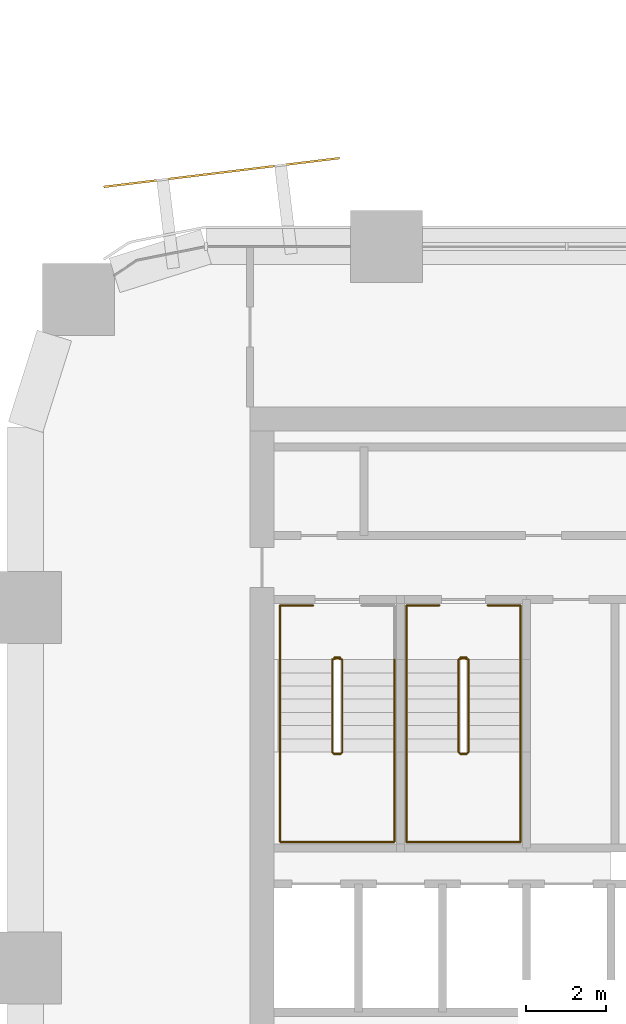
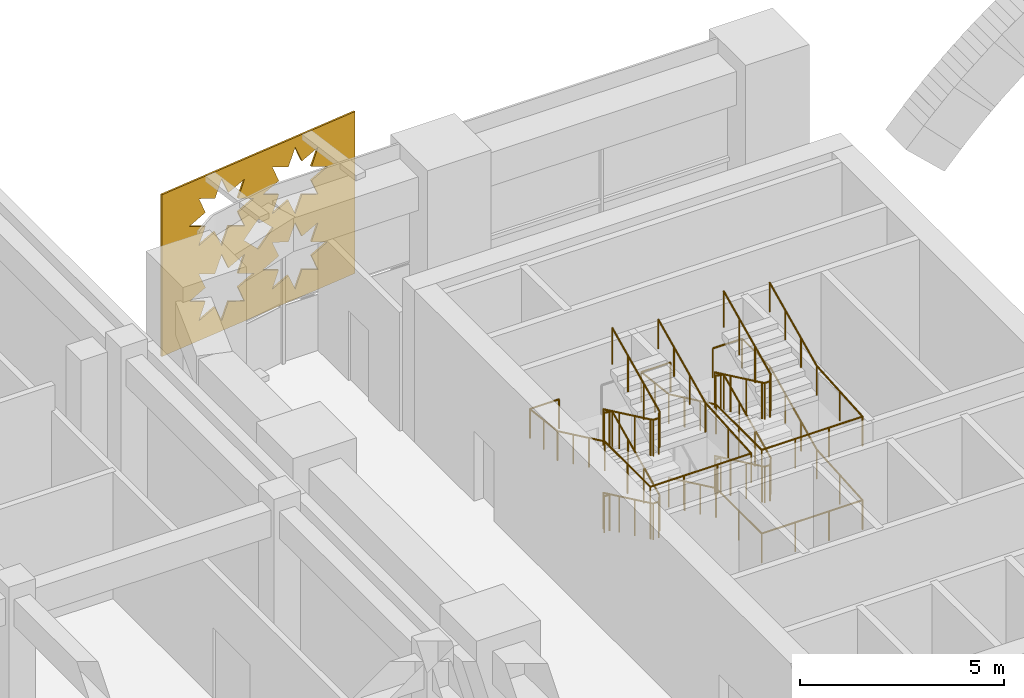
# One storey, part 38 of 40: 5 railings, 1 covering.
"""IFC4 building model written with IfcOpenShell, lengths in metres."""

from ifc_helpers import new_model, si_unit, direction, frame, origin, origin_2d, place, context, subcontext, project, spatial, polyline, circle, outline, extrude, material, layer, layer_set, type_object, element, save


model = new_model("IFC4")

# Units and contexts
model_context = context("Model", 3, precision=1e-05, world=origin(), true_north=direction((0.0, 1.0)))
body_context = subcontext(model_context, "Body", "Model", "MODEL_VIEW")
ifc_project = project(units=[si_unit("LENGTHUNIT", "METRE"), si_unit("AREAUNIT", "SQUARE_METRE"), si_unit("VOLUMEUNIT", "CUBIC_METRE"), si_unit("PLANEANGLEUNIT", "RADIAN"), si_unit("MASSUNIT", "GRAM", prefix="KILO")], contexts=[model_context])

# Site, building, storey
site_placement = place(None, origin())
site = spatial("IfcSite", under=ifc_project, at=site_placement, CompositionType="ELEMENT")
building_placement = place(site_placement, origin())
building = spatial("IfcBuilding", under=site, at=building_placement, Name="Tessera Arch", CompositionType="ELEMENT")
storey_placement = place(building_placement, frame((0.0, 0.0, 21.0)))
storey = spatial("IfcBuildingStorey", under=building, at=storey_placement, Name="L03", CompositionType="ELEMENT", Elevation=21.0)

# Covering
ifc_material_1 = material(Name="Anodised aluminium pale metal", Category="aluminium")
ifc_layer = layer(ifc_material_1, 0.050048828125)
ifc_layer_set = layer_set([ifc_layer], Name="Base lattice panel pale metal")
covering_type = type_object("IfcCoveringType", Name="Base lattice panel pale metal", PredefinedType="CLADDING", material=ifc_layer_set)
covering_placement = place(storey_placement, frame((7.833984375, 56.183837890625, 5.0), z_axis=(0.120966249049, -0.992656620686, 0.0), x_axis=(-0.992656620686, -0.120966249049, 0.0)))
element("IfcCovering", 1, at=covering_placement, inside=storey, type_object=covering_type, Name="Base lattice panel N54.0/1 L03", PredefinedType="CLADDING", context=body_context, shape_type="SweptSolid", body=[
    extrude(outline(polyline([(0.0, 0.0), (5.925593962252626, 0.0), (5.925593962252626, 4.840087890625), (0.0, 4.840087890625), (0.0, 0.0)]), holes=[polyline([(2.828132860395926, 3.544921875), (2.336987823767969, 3.337890625), (2.53815207532478, 2.844970703125), (2.0440693322277617, 3.0458984375), (1.8379695261883193, 2.554931640625), (1.6311131439498763, 3.0458984375), (1.1379997920839962, 2.844970703125), (1.3391640436408068, 3.337890625), (0.84801900701285, 3.544921875), (1.3391640436408068, 3.751953125), (1.1379997920839962, 4.2451171875), (1.6311131439498763, 4.0439453125), (1.8379695261883193, 4.534912109375), (2.0440693322277617, 4.0439453125), (2.53815207532478, 4.2451171875), (2.336987823767969, 3.751953125), (2.828132860395926, 3.544921875)]), polyline([(2.828132860395926, 1.294921875), (2.336987823767969, 1.087890625), (2.53815207532478, 0.594970703125), (2.0440693322277617, 0.7958984375), (1.8379695261883193, 0.304931640625), (1.6311131439498763, 0.7958984375), (1.1379997920839962, 0.594970703125), (1.3391640436408068, 1.087890625), (0.84801900701285, 1.294921875), (1.3391640436408068, 1.501953125), (1.1379997920839962, 1.9951171875), (1.6311131439498763, 1.7939453125), (1.8379695261883193, 2.284912109375), (2.0440693322277617, 1.7939453125), (2.53815207532478, 1.9951171875), (2.336987823767969, 1.501953125), (2.828132860395926, 1.294921875)]), polyline([(5.078059650855345, 3.544921875), (4.5871569620351735, 3.337890625), (4.7880788657841995, 2.844970703125), (4.294208937719319, 3.0458984375), (4.088109131679876, 2.554931640625), (3.8810399344092956, 3.0458984375), (3.3881393975755536, 2.844970703125), (3.5890908341002263, 3.337890625), (3.0979457974722693, 3.544921875), (3.5890908341002263, 3.751953125), (3.3881393975755536, 4.2451171875), (3.8810399344092956, 4.0439453125), (4.088109131679876, 4.534912109375), (4.294208937719319, 4.0439453125), (4.7880788657841995, 4.2451171875), (4.5871569620351735, 3.751953125), (5.078059650855345, 3.544921875)]), polyline([(5.078059650855345, 1.294921875), (4.5871569620351735, 1.087890625), (4.7880788657841995, 0.594970703125), (4.294208937719319, 0.7958984375), (4.088109131679876, 0.304931640625), (3.8810399344092956, 0.7958984375), (3.3881393975755536, 0.594970703125), (3.5890908341002263, 1.087890625), (3.0979457974722693, 1.294921875), (3.5890908341002263, 1.501953125), (3.3881393975755536, 1.9951171875), (3.8810399344092956, 1.7939453125), (4.088109131679876, 2.284912109375), (4.294208937719319, 1.7939453125), (4.7880788657841995, 1.9951171875), (4.5871569620351735, 1.501953125), (5.078059650855345, 1.294921875)]), polyline([(3.4130004522452033, 2.419921875), (2.96316050283799, 1.969970703125), (2.5130782056229926, 2.419921875), (2.96316050283799, 2.8701171875), (3.4130004522452033, 2.419921875)])]), origin(), (0.0, 0.0, -1.0), 0.050048828125),
])

# Railings
ifc_material_2 = material(Name="Painted steel balustrade", Category="steel")
railing_type_1 = type_object("IfcRailingType", Name="Stair guard 1100", PredefinedType="GUARDRAIL", material=ifc_material_2)
railing_1_placement = place(storey_placement, frame((7.699951171875, 43.75, 0.0)))
element("IfcRailing", 2, at=railing_1_placement, inside=storey, type_object=railing_type_1, Name="L03 S2a stair guard 1", PredefinedType="GUARDRAIL", context=body_context, shape_type="SweptSolid", body=[
    extrude(circle(Radius=0.02392578125, at=origin_2d()), frame((-0.00390625, 0.0, 1.076171875), z_axis=(1.0, 0.0, 0.0), x_axis=(0.0, 1.0, 0.0)), (0.0, 0.0, 1.0), 0.158203125),
    extrude(circle(Radius=0.02392578125, at=origin_2d()), frame((0.1533203125, 0.000732421875, 1.07373046875), z_axis=(-0.773438643492, -0.193359660873, 0.603659429067), x_axis=(0.242535625036, -0.970142500145, 0.0)), (0.0, 0.0, 1.0), 0.266845703125),
    extrude(circle(Radius=0.02392578125, at=origin_2d()), frame((-0.050048828125, -0.04638671875, 1.23046875), z_axis=(0.0, -0.903811734687, 0.427930307694), x_axis=(1.0, 0.0, 0.0)), (0.0, 0.0, 1.0), 2.56396484375),
    extrude(circle(Radius=0.02392578125, at=origin_2d()), frame((-0.052978515625, -2.357177734375, 2.326171875), z_axis=(0.708833529934, -0.705375805398, 0.0), x_axis=(0.705375805398, 0.708833529934, 0.0)), (0.0, 0.0, 1.0), 0.07861328125),
    extrude(circle(Radius=0.02392578125, at=origin_2d()), frame((-0.00390625, -2.409912109375, 2.326171875), z_axis=(1.0, 0.0, 0.0), x_axis=(0.0, 1.0, 0.0)), (0.0, 0.0, 1.0), 0.158203125),
    extrude(circle(Radius=0.02392578125, at=origin_2d()), frame((0.14892578125, -2.4111328125, 2.322509765625), z_axis=(0.290590035384, 0.290590035384, 0.911655012969), x_axis=(-0.707106781187, 0.707106781187, 0.0)), (0.0, 0.0, 1.0), 0.179443359375),
    extrude(circle(Radius=0.02392578125, at=origin_2d()), frame((0.199951171875, -2.36376953125, 2.48046875), z_axis=(0.0, 0.903811734687, 0.427930307694), x_axis=(-1.0, 0.0, 0.0)), (0.0, 0.0, 1.0), 2.56396484375),
    extrude(circle(Radius=0.02392578125, at=origin_2d()), frame((0.203857421875, -0.051025390625, 3.576171875), z_axis=(-0.970072785993, 0.242814311512, 0.0), x_axis=(-0.242814311512, -0.970072785993, 0.0)), (0.0, 0.0, 1.0), 0.214111328125),
    extrude(circle(Radius=0.02392578125, at=origin_2d()), frame((-0.00390625, 0.0, 3.576171875), z_axis=(1.0, 0.0, 0.0), x_axis=(0.0, 1.0, 0.0)), (0.0, 0.0, 1.0), 0.158203125),
    extrude(circle(Radius=0.02392578125, at=origin_2d()), frame((0.1533203125, 0.000732421875, 3.57373046875), z_axis=(-0.773438643492, -0.193359660873, 0.603659429067), x_axis=(0.242535625036, -0.970142500145, 0.0)), (0.0, 0.0, 1.0), 0.266845703125),
    extrude(circle(Radius=0.02392578125, at=origin_2d()), frame((-0.050048828125, -0.04638671875, 3.73046875), z_axis=(0.0, -0.903811734687, 0.427930307694), x_axis=(1.0, 0.0, 0.0)), (0.0, 0.0, 1.0), 2.56396484375),
    extrude(circle(Radius=0.02392578125, at=origin_2d()), frame((-0.052978515625, -2.357177734375, 4.826171875), z_axis=(0.708833529934, -0.705375805398, 0.0), x_axis=(0.705375805398, 0.708833529934, 0.0)), (0.0, 0.0, 1.0), 0.07861328125),
    extrude(circle(Radius=0.02392578125, at=origin_2d()), frame((-0.00390625, -2.409912109375, 4.826171875), z_axis=(1.0, 0.0, 0.0), x_axis=(0.0, 1.0, 0.0)), (0.0, 0.0, 1.0), 0.158203125),
    extrude(circle(Radius=0.02392578125, at=origin_2d()), frame((0.14892578125, -2.4111328125, 4.822509765625), z_axis=(0.290590035384, 0.290590035384, 0.911655012969), x_axis=(-0.707106781187, 0.707106781187, 0.0)), (0.0, 0.0, 1.0), 0.179443359375),
    extrude(circle(Radius=0.02392578125, at=origin_2d()), frame((0.199951171875, -2.36376953125, 4.98046875), z_axis=(0.0, 0.903811734687, 0.427930307694), x_axis=(-1.0, 0.0, 0.0)), (0.0, 0.0, 1.0), 2.56396484375),
    extrude(circle(Radius=0.02099609375, at=origin_2d()), origin(), (0.0, 0.0, 1.0), 1.06396484375),
    extrude(circle(Radius=0.02099609375, at=origin_2d()), frame((0.150146484375, 0.0, 0.0)), (0.0, 0.0, 1.0), 1.06396484375),
    extrude(circle(Radius=0.02099609375, at=origin_2d()), frame((-0.050048828125, -0.050048828125, 0.15625)), (0.0, 0.0, 1.0), 1.06396484375),
    extrude(circle(Radius=0.02099609375, at=origin_2d()), frame((-0.050048828125, -0.820068359375, 0.520751953125)), (0.0, 0.0, 1.0), 1.06396484375),
    extrude(circle(Radius=0.02099609375, at=origin_2d()), frame((-0.050048828125, -1.590087890625, 0.885498046875)), (0.0, 0.0, 1.0), 1.06396484375),
    extrude(circle(Radius=0.02099609375, at=origin_2d()), frame((-0.050048828125, -2.360107421875, 1.25)), (0.0, 0.0, 1.0), 1.06396484375),
    extrude(circle(Radius=0.02099609375, at=origin_2d()), frame((0.0, -2.409912109375, 1.25)), (0.0, 0.0, 1.0), 1.06396484375),
    extrude(circle(Radius=0.02099609375, at=origin_2d()), frame((0.150146484375, -2.409912109375, 1.25)), (0.0, 0.0, 1.0), 1.06396484375),
    extrude(circle(Radius=0.02099609375, at=origin_2d()), frame((0.199951171875, -2.360107421875, 1.40625)), (0.0, 0.0, 1.0), 1.06396484375),
    extrude(circle(Radius=0.02099609375, at=origin_2d()), frame((0.199951171875, -1.590087890625, 1.770751953125)), (0.0, 0.0, 1.0), 1.06396484375),
    extrude(circle(Radius=0.02099609375, at=origin_2d()), frame((0.199951171875, -0.820068359375, 2.135498046875)), (0.0, 0.0, 1.0), 1.06396484375),
    extrude(circle(Radius=0.02099609375, at=origin_2d()), frame((0.199951171875, -0.050048828125, 2.5)), (0.0, 0.0, 1.0), 1.06396484375),
    extrude(circle(Radius=0.02099609375, at=origin_2d()), frame((0.0, 0.0, 2.5)), (0.0, 0.0, 1.0), 1.06396484375),
    extrude(circle(Radius=0.02099609375, at=origin_2d()), frame((0.150146484375, 0.0, 2.5)), (0.0, 0.0, 1.0), 1.06396484375),
    extrude(circle(Radius=0.02099609375, at=origin_2d()), frame((-0.050048828125, -0.050048828125, 2.65625)), (0.0, 0.0, 1.0), 1.06396484375),
    extrude(circle(Radius=0.02099609375, at=origin_2d()), frame((-0.050048828125, -0.820068359375, 3.020751953125)), (0.0, 0.0, 1.0), 1.06396484375),
    extrude(circle(Radius=0.02099609375, at=origin_2d()), frame((-0.050048828125, -1.590087890625, 3.385498046875)), (0.0, 0.0, 1.0), 1.06396484375),
    extrude(circle(Radius=0.02099609375, at=origin_2d()), frame((-0.050048828125, -2.360107421875, 3.75)), (0.0, 0.0, 1.0), 1.06396484375),
    extrude(circle(Radius=0.02099609375, at=origin_2d()), frame((0.0, -2.409912109375, 3.75)), (0.0, 0.0, 1.0), 1.06396484375),
    extrude(circle(Radius=0.02099609375, at=origin_2d()), frame((0.150146484375, -2.409912109375, 3.75)), (0.0, 0.0, 1.0), 1.06396484375),
    extrude(circle(Radius=0.02099609375, at=origin_2d()), frame((0.199951171875, -2.360107421875, 3.90625)), (0.0, 0.0, 1.0), 1.06396484375),
    extrude(circle(Radius=0.02099609375, at=origin_2d()), frame((0.199951171875, -1.590087890625, 4.270751953125)), (0.0, 0.0, 1.0), 1.06396484375),
    extrude(circle(Radius=0.02099609375, at=origin_2d()), frame((0.199951171875, -0.820068359375, 4.635498046875)), (0.0, 0.0, 1.0), 1.06396484375),
    extrude(circle(Radius=0.02099609375, at=origin_2d()), frame((0.199951171875, -0.050048828125, 5.0)), (0.0, 0.0, 1.0), 1.06396484375),
])
railing_2_placement = place(storey_placement, frame((10.85009765625, 43.75, 0.0)))
element("IfcRailing", 3, at=railing_2_placement, inside=storey, type_object=railing_type_1, Name="L03 S2b stair guard 1", PredefinedType="GUARDRAIL", context=body_context, shape_type="SweptSolid", body=[
    extrude(circle(Radius=0.02392578125, at=origin_2d()), frame((-0.00390625, 0.0, 1.076171875), z_axis=(1.0, 0.0, 0.0), x_axis=(0.0, 1.0, 0.0)), (0.0, 0.0, 1.0), 0.157958984375),
    extrude(circle(Radius=0.02392578125, at=origin_2d()), frame((0.153076171875, 0.000732421875, 1.07373046875), z_axis=(-0.77305925043, -0.19350078918, 0.604100024756), x_axis=(0.242814311512, -0.970072785993, 0.0)), (0.0, 0.0, 1.0), 0.2666015625),
    extrude(circle(Radius=0.02392578125, at=origin_2d()), frame((-0.050048828125, -0.04638671875, 1.23046875), z_axis=(0.0, -0.903811734687, 0.427930307694), x_axis=(1.0, 0.0, 0.0)), (0.0, 0.0, 1.0), 2.56396484375),
    extrude(circle(Radius=0.02392578125, at=origin_2d()), frame((-0.052978515625, -2.357177734375, 2.326171875), z_axis=(0.708833529934, -0.705375805398, 0.0), x_axis=(0.705375805398, 0.708833529934, 0.0)), (0.0, 0.0, 1.0), 0.07861328125),
    extrude(circle(Radius=0.02392578125, at=origin_2d()), frame((-0.00390625, -2.409912109375, 2.326171875), z_axis=(1.0, 0.0, 0.0), x_axis=(0.0, 1.0, 0.0)), (0.0, 0.0, 1.0), 0.157958984375),
    extrude(circle(Radius=0.02392578125, at=origin_2d()), frame((0.148681640625, -2.4111328125, 2.322509765625), z_axis=(0.291893400672, 0.290469530425, 0.911276958196), x_axis=(-0.705375805398, 0.708833529934, 0.0)), (0.0, 0.0, 1.0), 0.179443359375),
    extrude(circle(Radius=0.02392578125, at=origin_2d()), frame((0.199951171875, -2.36376953125, 2.48046875), z_axis=(0.0, 0.903811734687, 0.427930307694), x_axis=(-1.0, 0.0, 0.0)), (0.0, 0.0, 1.0), 2.56396484375),
    extrude(circle(Radius=0.02392578125, at=origin_2d()), frame((0.203857421875, -0.051025390625, 3.576171875), z_axis=(-0.970072785993, 0.242814311512, 0.0), x_axis=(-0.242814311512, -0.970072785993, 0.0)), (0.0, 0.0, 1.0), 0.214111328125),
    extrude(circle(Radius=0.02392578125, at=origin_2d()), frame((-0.00390625, 0.0, 3.576171875), z_axis=(1.0, 0.0, 0.0), x_axis=(0.0, 1.0, 0.0)), (0.0, 0.0, 1.0), 0.157958984375),
    extrude(circle(Radius=0.02392578125, at=origin_2d()), frame((0.153076171875, 0.000732421875, 3.57373046875), z_axis=(-0.77305925043, -0.19350078918, 0.604100024756), x_axis=(0.242814311512, -0.970072785993, 0.0)), (0.0, 0.0, 1.0), 0.2666015625),
    extrude(circle(Radius=0.02392578125, at=origin_2d()), frame((-0.050048828125, -0.04638671875, 3.73046875), z_axis=(0.0, -0.903811734687, 0.427930307694), x_axis=(1.0, 0.0, 0.0)), (0.0, 0.0, 1.0), 2.56396484375),
    extrude(circle(Radius=0.02392578125, at=origin_2d()), frame((-0.052978515625, -2.357177734375, 4.826171875), z_axis=(0.708833529934, -0.705375805398, 0.0), x_axis=(0.705375805398, 0.708833529934, 0.0)), (0.0, 0.0, 1.0), 0.07861328125),
    extrude(circle(Radius=0.02392578125, at=origin_2d()), frame((-0.00390625, -2.409912109375, 4.826171875), z_axis=(1.0, 0.0, 0.0), x_axis=(0.0, 1.0, 0.0)), (0.0, 0.0, 1.0), 0.157958984375),
    extrude(circle(Radius=0.02392578125, at=origin_2d()), frame((0.148681640625, -2.4111328125, 4.822509765625), z_axis=(0.291893400672, 0.290469530425, 0.911276958196), x_axis=(-0.705375805398, 0.708833529934, 0.0)), (0.0, 0.0, 1.0), 0.179443359375),
    extrude(circle(Radius=0.02392578125, at=origin_2d()), frame((0.199951171875, -2.36376953125, 4.98046875), z_axis=(0.0, 0.903811734687, 0.427930307694), x_axis=(-1.0, 0.0, 0.0)), (0.0, 0.0, 1.0), 2.56396484375),
    extrude(circle(Radius=0.02099609375, at=origin_2d()), origin(), (0.0, 0.0, 1.0), 1.06396484375),
    extrude(circle(Radius=0.02099609375, at=origin_2d()), frame((0.14990234375, 0.0, 0.0)), (0.0, 0.0, 1.0), 1.06396484375),
    extrude(circle(Radius=0.02099609375, at=origin_2d()), frame((-0.050048828125, -0.050048828125, 0.15625)), (0.0, 0.0, 1.0), 1.06396484375),
    extrude(circle(Radius=0.02099609375, at=origin_2d()), frame((-0.050048828125, -0.820068359375, 0.520751953125)), (0.0, 0.0, 1.0), 1.06396484375),
    extrude(circle(Radius=0.02099609375, at=origin_2d()), frame((-0.050048828125, -1.590087890625, 0.885498046875)), (0.0, 0.0, 1.0), 1.06396484375),
    extrude(circle(Radius=0.02099609375, at=origin_2d()), frame((-0.050048828125, -2.360107421875, 1.25)), (0.0, 0.0, 1.0), 1.06396484375),
    extrude(circle(Radius=0.02099609375, at=origin_2d()), frame((0.0, -2.409912109375, 1.25)), (0.0, 0.0, 1.0), 1.06396484375),
    extrude(circle(Radius=0.02099609375, at=origin_2d()), frame((0.14990234375, -2.409912109375, 1.25)), (0.0, 0.0, 1.0), 1.06396484375),
    extrude(circle(Radius=0.02099609375, at=origin_2d()), frame((0.199951171875, -2.360107421875, 1.40625)), (0.0, 0.0, 1.0), 1.06396484375),
    extrude(circle(Radius=0.02099609375, at=origin_2d()), frame((0.199951171875, -1.590087890625, 1.770751953125)), (0.0, 0.0, 1.0), 1.06396484375),
    extrude(circle(Radius=0.02099609375, at=origin_2d()), frame((0.199951171875, -0.820068359375, 2.135498046875)), (0.0, 0.0, 1.0), 1.06396484375),
    extrude(circle(Radius=0.02099609375, at=origin_2d()), frame((0.199951171875, -0.050048828125, 2.5)), (0.0, 0.0, 1.0), 1.06396484375),
    extrude(circle(Radius=0.02099609375, at=origin_2d()), frame((0.0, 0.0, 2.5)), (0.0, 0.0, 1.0), 1.06396484375),
    extrude(circle(Radius=0.02099609375, at=origin_2d()), frame((0.14990234375, 0.0, 2.5)), (0.0, 0.0, 1.0), 1.06396484375),
    extrude(circle(Radius=0.02099609375, at=origin_2d()), frame((-0.050048828125, -0.050048828125, 2.65625)), (0.0, 0.0, 1.0), 1.06396484375),
    extrude(circle(Radius=0.02099609375, at=origin_2d()), frame((-0.050048828125, -0.820068359375, 3.020751953125)), (0.0, 0.0, 1.0), 1.06396484375),
    extrude(circle(Radius=0.02099609375, at=origin_2d()), frame((-0.050048828125, -1.590087890625, 3.385498046875)), (0.0, 0.0, 1.0), 1.06396484375),
    extrude(circle(Radius=0.02099609375, at=origin_2d()), frame((-0.050048828125, -2.360107421875, 3.75)), (0.0, 0.0, 1.0), 1.06396484375),
    extrude(circle(Radius=0.02099609375, at=origin_2d()), frame((0.0, -2.409912109375, 3.75)), (0.0, 0.0, 1.0), 1.06396484375),
    extrude(circle(Radius=0.02099609375, at=origin_2d()), frame((0.14990234375, -2.409912109375, 3.75)), (0.0, 0.0, 1.0), 1.06396484375),
    extrude(circle(Radius=0.02099609375, at=origin_2d()), frame((0.199951171875, -2.360107421875, 3.90625)), (0.0, 0.0, 1.0), 1.06396484375),
    extrude(circle(Radius=0.02099609375, at=origin_2d()), frame((0.199951171875, -1.590087890625, 4.270751953125)), (0.0, 0.0, 1.0), 1.06396484375),
    extrude(circle(Radius=0.02099609375, at=origin_2d()), frame((0.199951171875, -0.820068359375, 4.635498046875)), (0.0, 0.0, 1.0), 1.06396484375),
    extrude(circle(Radius=0.02099609375, at=origin_2d()), frame((0.199951171875, -0.050048828125, 5.0)), (0.0, 0.0, 1.0), 1.06396484375),
])
ifc_material_3 = material(Name="Painted steel handrail", Category="steel")
railing_type_2 = type_object("IfcRailingType", Name="Stair handrail 900", PredefinedType="HANDRAIL", material=ifc_material_3)
railing_3_placement = place(storey_placement, frame((7.175048828125, 45.050048828125, 2.5)))
element("IfcRailing", 4, at=railing_3_placement, inside=storey, type_object=railing_type_2, Name="L03 S2a stair handrail 2", PredefinedType="HANDRAIL", context=body_context, shape_type="SweptSolid", body=[
    extrude(circle(Radius=0.02392578125, at=origin_2d()), frame((0.00390625, 0.0, 0.8759765625), z_axis=(-1.0, 0.0, 0.0), x_axis=(0.0, -1.0, 0.0)), (0.0, 0.0, 1.0), 0.8330078125),
    extrude(circle(Radius=0.02392578125, at=origin_2d()), frame((-0.824951171875, 0.00390625, 0.87548828125), z_axis=(0.0, -0.99336954172, 0.114965010253), x_axis=(1.0, 0.0, 0.0)), (0.0, 0.0, 1.0), 1.3671875),
    extrude(circle(Radius=0.02392578125, at=origin_2d()), frame((-0.824951171875, -1.346435546875, 1.0302734375), z_axis=(0.0, -0.903811734687, 0.427930307694), x_axis=(1.0, 0.0, 0.0)), (0.0, 0.0, 1.0), 2.56396484375),
    extrude(circle(Radius=0.02392578125, at=origin_2d()), frame((-0.824951171875, -3.65625, 2.1259765625), z_axis=(0.0, -1.0, 0.0), x_axis=(1.0, 0.0, 0.0)), (0.0, 0.0, 1.0), 2.248046875),
    extrude(circle(Radius=0.02392578125, at=origin_2d()), frame((-0.828857421875, -5.900146484375, 2.1259765625), z_axis=(1.0, 0.0, 0.0), x_axis=(0.0, 1.0, 0.0)), (0.0, 0.0, 1.0), 2.85791015625),
    extrude(circle(Radius=0.02392578125, at=origin_2d()), frame((2.02490234375, -5.904052734375, 2.12548828125), z_axis=(0.0, 0.997575978536, 0.069585681337), x_axis=(-1.0, 0.0, 0.0)), (0.0, 0.0, 1.0), 2.25341796875),
    extrude(circle(Radius=0.02392578125, at=origin_2d()), frame((2.02490234375, -3.663818359375, 2.2802734375), z_axis=(0.0, 0.903811734687, 0.427930307694), x_axis=(-1.0, 0.0, 0.0)), (0.0, 0.0, 1.0), 2.56396484375),
    extrude(circle(Radius=0.02099609375, at=origin_2d()), origin(), (0.0, 0.0, 1.0), 0.86376953125),
    extrude(circle(Radius=0.02099609375, at=origin_2d()), frame((-0.824951171875, 0.0, 0.0)), (0.0, 0.0, 1.0), 0.86376953125),
    extrude(circle(Radius=0.02099609375, at=origin_2d()), frame((-0.824951171875, -0.675048828125, 0.078125)), (0.0, 0.0, 1.0), 0.86376953125),
    extrude(circle(Radius=0.02099609375, at=origin_2d()), frame((-0.824951171875, -1.35009765625, 0.15625)), (0.0, 0.0, 1.0), 0.86376953125),
    extrude(circle(Radius=0.02099609375, at=origin_2d()), frame((-0.824951171875, -2.1201171875, 0.520751953125)), (0.0, 0.0, 1.0), 0.86376953125),
    extrude(circle(Radius=0.02099609375, at=origin_2d()), frame((-0.824951171875, -2.89013671875, 0.885498046875)), (0.0, 0.0, 1.0), 0.86376953125),
    extrude(circle(Radius=0.02099609375, at=origin_2d()), frame((-0.824951171875, -3.66015625, 1.25)), (0.0, 0.0, 1.0), 0.86376953125),
    extrude(circle(Radius=0.02099609375, at=origin_2d()), frame((-0.824951171875, -4.7802734375, 1.25)), (0.0, 0.0, 1.0), 0.86376953125),
    extrude(circle(Radius=0.02099609375, at=origin_2d()), frame((-0.824951171875, -5.900146484375, 1.25)), (0.0, 0.0, 1.0), 0.86376953125),
    extrude(circle(Radius=0.02099609375, at=origin_2d()), frame((0.125, -5.900146484375, 1.25)), (0.0, 0.0, 1.0), 0.86376953125),
    extrude(circle(Radius=0.02099609375, at=origin_2d()), frame((1.074951171875, -5.900146484375, 1.25)), (0.0, 0.0, 1.0), 0.86376953125),
    extrude(circle(Radius=0.02099609375, at=origin_2d()), frame((2.02490234375, -5.900146484375, 1.25)), (0.0, 0.0, 1.0), 0.86376953125),
    extrude(circle(Radius=0.02099609375, at=origin_2d()), frame((2.02490234375, -4.7802734375, 1.328125)), (0.0, 0.0, 1.0), 0.86376953125),
    extrude(circle(Radius=0.02099609375, at=origin_2d()), frame((2.02490234375, -3.66015625, 1.40625)), (0.0, 0.0, 1.0), 0.86376953125),
    extrude(circle(Radius=0.02099609375, at=origin_2d()), frame((2.02490234375, -2.89013671875, 1.770751953125)), (0.0, 0.0, 1.0), 0.86376953125),
    extrude(circle(Radius=0.02099609375, at=origin_2d()), frame((2.02490234375, -2.1201171875, 2.135498046875)), (0.0, 0.0, 1.0), 0.86376953125),
    extrude(circle(Radius=0.02099609375, at=origin_2d()), frame((2.02490234375, -1.35009765625, 2.5)), (0.0, 0.0, 1.0), 0.86376953125),
])
railing_4_placement = place(storey_placement, frame((9.5, 43.699951171875, 0.15625)))
element("IfcRailing", 5, at=railing_4_placement, inside=storey, type_object=railing_type_2, Name="L03 S2b stair handrail", PredefinedType="HANDRAIL", context=body_context, shape_type="SweptSolid", body=[
    extrude(circle(Radius=0.02392578125, at=origin_2d()), frame((0.0, 0.003662109375, 0.8740234375), z_axis=(0.0, -0.903811734687, 0.427930307694), x_axis=(1.0, 0.0, 0.0)), (0.0, 0.0, 1.0), 2.56396484375),
    extrude(circle(Radius=0.02392578125, at=origin_2d()), frame((0.0, -2.30615234375, 1.9697265625), z_axis=(0.0, -1.0, 0.0), x_axis=(1.0, 0.0, 0.0)), (0.0, 0.0, 1.0), 2.248046875),
    extrude(circle(Radius=0.02392578125, at=origin_2d()), frame((-0.00390625, -4.550048828125, 1.9697265625), z_axis=(1.0, 0.0, 0.0), x_axis=(0.0, 1.0, 0.0)), (0.0, 0.0, 1.0), 2.858154296875),
    extrude(circle(Radius=0.02392578125, at=origin_2d()), frame((2.85009765625, -4.553955078125, 1.96923828125), z_axis=(0.0, 0.997575978536, 0.069585681337), x_axis=(-1.0, 0.0, 0.0)), (0.0, 0.0, 1.0), 2.25341796875),
    extrude(circle(Radius=0.02392578125, at=origin_2d()), frame((2.85009765625, -2.313720703125, 2.1240234375), z_axis=(0.0, 0.903811734687, 0.427930307694), x_axis=(-1.0, 0.0, 0.0)), (0.0, 0.0, 1.0), 2.56396484375),
    extrude(circle(Radius=0.02392578125, at=origin_2d()), frame((2.85009765625, -0.00390625, 3.2197265625), z_axis=(0.0, 1.0, 0.0), x_axis=(-1.0, 0.0, 0.0)), (0.0, 0.0, 1.0), 1.358154296875),
    extrude(circle(Radius=0.02392578125, at=origin_2d()), frame((2.85400390625, 1.35009765625, 3.2197265625), z_axis=(-1.0, 0.0, 0.0), x_axis=(0.0, -1.0, 0.0)), (0.0, 0.0, 1.0), 0.833251953125),
    extrude(circle(Radius=0.02099609375, at=origin_2d()), origin(), (0.0, 0.0, 1.0), 0.86376953125),
    extrude(circle(Radius=0.02099609375, at=origin_2d()), frame((0.0, -0.77001953125, 0.364501953125)), (0.0, 0.0, 1.0), 0.86376953125),
    extrude(circle(Radius=0.02099609375, at=origin_2d()), frame((0.0, -1.5400390625, 0.729248046875)), (0.0, 0.0, 1.0), 0.86376953125),
    extrude(circle(Radius=0.02099609375, at=origin_2d()), frame((0.0, -2.31005859375, 1.09375)), (0.0, 0.0, 1.0), 0.86376953125),
    extrude(circle(Radius=0.02099609375, at=origin_2d()), frame((0.0, -3.43017578125, 1.09375)), (0.0, 0.0, 1.0), 0.86376953125),
    extrude(circle(Radius=0.02099609375, at=origin_2d()), frame((0.0, -4.550048828125, 1.09375)), (0.0, 0.0, 1.0), 0.86376953125),
    extrude(circle(Radius=0.02099609375, at=origin_2d()), frame((0.949951171875, -4.550048828125, 1.09375)), (0.0, 0.0, 1.0), 0.86376953125),
    extrude(circle(Radius=0.02099609375, at=origin_2d()), frame((1.900146484375, -4.550048828125, 1.09375)), (0.0, 0.0, 1.0), 0.86376953125),
    extrude(circle(Radius=0.02099609375, at=origin_2d()), frame((2.85009765625, -4.550048828125, 1.09375)), (0.0, 0.0, 1.0), 0.86376953125),
    extrude(circle(Radius=0.02099609375, at=origin_2d()), frame((2.85009765625, -3.43017578125, 1.171875)), (0.0, 0.0, 1.0), 0.86376953125),
    extrude(circle(Radius=0.02099609375, at=origin_2d()), frame((2.85009765625, -2.31005859375, 1.25)), (0.0, 0.0, 1.0), 0.86376953125),
    extrude(circle(Radius=0.02099609375, at=origin_2d()), frame((2.85009765625, -1.5400390625, 1.614501953125)), (0.0, 0.0, 1.0), 0.86376953125),
    extrude(circle(Radius=0.02099609375, at=origin_2d()), frame((2.85009765625, -0.77001953125, 1.979248046875)), (0.0, 0.0, 1.0), 0.86376953125),
    extrude(circle(Radius=0.02099609375, at=origin_2d()), frame((2.85009765625, 0.0, 2.34375)), (0.0, 0.0, 1.0), 0.86376953125),
    extrude(circle(Radius=0.02099609375, at=origin_2d()), frame((2.85009765625, 0.675048828125, 2.34375)), (0.0, 0.0, 1.0), 0.86376953125),
    extrude(circle(Radius=0.02099609375, at=origin_2d()), frame((2.85009765625, 1.35009765625, 2.34375)), (0.0, 0.0, 1.0), 0.86376953125),
    extrude(circle(Radius=0.02099609375, at=origin_2d()), frame((2.02490234375, 1.35009765625, 2.34375)), (0.0, 0.0, 1.0), 0.86376953125),
])
railing_5_placement = place(storey_placement, frame((10.324951171875, 45.050048828125, 2.5)))
element("IfcRailing", 6, at=railing_5_placement, inside=storey, type_object=railing_type_2, Name="L03 S2b stair handrail 2", PredefinedType="HANDRAIL", context=body_context, shape_type="SweptSolid", body=[
    extrude(circle(Radius=0.02392578125, at=origin_2d()), frame((0.00390625, 0.0, 0.8759765625), z_axis=(-1.0, 0.0, 0.0), x_axis=(0.0, -1.0, 0.0)), (0.0, 0.0, 1.0), 0.8330078125),
    extrude(circle(Radius=0.02392578125, at=origin_2d()), frame((-0.824951171875, 0.00390625, 0.87548828125), z_axis=(0.0, -0.99336954172, 0.114965010253), x_axis=(1.0, 0.0, 0.0)), (0.0, 0.0, 1.0), 1.3671875),
    extrude(circle(Radius=0.02392578125, at=origin_2d()), frame((-0.824951171875, -1.346435546875, 1.0302734375), z_axis=(0.0, -0.903811734687, 0.427930307694), x_axis=(1.0, 0.0, 0.0)), (0.0, 0.0, 1.0), 2.56396484375),
    extrude(circle(Radius=0.02392578125, at=origin_2d()), frame((-0.824951171875, -3.65625, 2.1259765625), z_axis=(0.0, -1.0, 0.0), x_axis=(1.0, 0.0, 0.0)), (0.0, 0.0, 1.0), 2.248046875),
    extrude(circle(Radius=0.02392578125, at=origin_2d()), frame((-0.828857421875, -5.900146484375, 2.1259765625), z_axis=(1.0, 0.0, 0.0), x_axis=(0.0, 1.0, 0.0)), (0.0, 0.0, 1.0), 2.858154296875),
    extrude(circle(Radius=0.02392578125, at=origin_2d()), frame((2.025146484375, -5.904052734375, 2.12548828125), z_axis=(0.0, 0.997575978536, 0.069585681337), x_axis=(-1.0, 0.0, 0.0)), (0.0, 0.0, 1.0), 2.25341796875),
    extrude(circle(Radius=0.02392578125, at=origin_2d()), frame((2.025146484375, -3.663818359375, 2.2802734375), z_axis=(0.0, 0.903811734687, 0.427930307694), x_axis=(-1.0, 0.0, 0.0)), (0.0, 0.0, 1.0), 2.56396484375),
    extrude(circle(Radius=0.02099609375, at=origin_2d()), origin(), (0.0, 0.0, 1.0), 0.86376953125),
    extrude(circle(Radius=0.02099609375, at=origin_2d()), frame((-0.824951171875, 0.0, 0.0)), (0.0, 0.0, 1.0), 0.86376953125),
    extrude(circle(Radius=0.02099609375, at=origin_2d()), frame((-0.824951171875, -0.675048828125, 0.078125)), (0.0, 0.0, 1.0), 0.86376953125),
    extrude(circle(Radius=0.02099609375, at=origin_2d()), frame((-0.824951171875, -1.35009765625, 0.15625)), (0.0, 0.0, 1.0), 0.86376953125),
    extrude(circle(Radius=0.02099609375, at=origin_2d()), frame((-0.824951171875, -2.1201171875, 0.520751953125)), (0.0, 0.0, 1.0), 0.86376953125),
    extrude(circle(Radius=0.02099609375, at=origin_2d()), frame((-0.824951171875, -2.89013671875, 0.885498046875)), (0.0, 0.0, 1.0), 0.86376953125),
    extrude(circle(Radius=0.02099609375, at=origin_2d()), frame((-0.824951171875, -3.66015625, 1.25)), (0.0, 0.0, 1.0), 0.86376953125),
    extrude(circle(Radius=0.02099609375, at=origin_2d()), frame((-0.824951171875, -4.7802734375, 1.25)), (0.0, 0.0, 1.0), 0.86376953125),
    extrude(circle(Radius=0.02099609375, at=origin_2d()), frame((-0.824951171875, -5.900146484375, 1.25)), (0.0, 0.0, 1.0), 0.86376953125),
    extrude(circle(Radius=0.02099609375, at=origin_2d()), frame((0.125, -5.900146484375, 1.25)), (0.0, 0.0, 1.0), 0.86376953125),
    extrude(circle(Radius=0.02099609375, at=origin_2d()), frame((1.0751953125, -5.900146484375, 1.25)), (0.0, 0.0, 1.0), 0.86376953125),
    extrude(circle(Radius=0.02099609375, at=origin_2d()), frame((2.025146484375, -5.900146484375, 1.25)), (0.0, 0.0, 1.0), 0.86376953125),
    extrude(circle(Radius=0.02099609375, at=origin_2d()), frame((2.025146484375, -4.7802734375, 1.328125)), (0.0, 0.0, 1.0), 0.86376953125),
    extrude(circle(Radius=0.02099609375, at=origin_2d()), frame((2.025146484375, -3.66015625, 1.40625)), (0.0, 0.0, 1.0), 0.86376953125),
    extrude(circle(Radius=0.02099609375, at=origin_2d()), frame((2.025146484375, -2.89013671875, 1.770751953125)), (0.0, 0.0, 1.0), 0.86376953125),
    extrude(circle(Radius=0.02099609375, at=origin_2d()), frame((2.025146484375, -2.1201171875, 2.135498046875)), (0.0, 0.0, 1.0), 0.86376953125),
    extrude(circle(Radius=0.02099609375, at=origin_2d()), frame((2.025146484375, -1.35009765625, 2.5)), (0.0, 0.0, 1.0), 0.86376953125),
])

save(model, "model.ifc")
